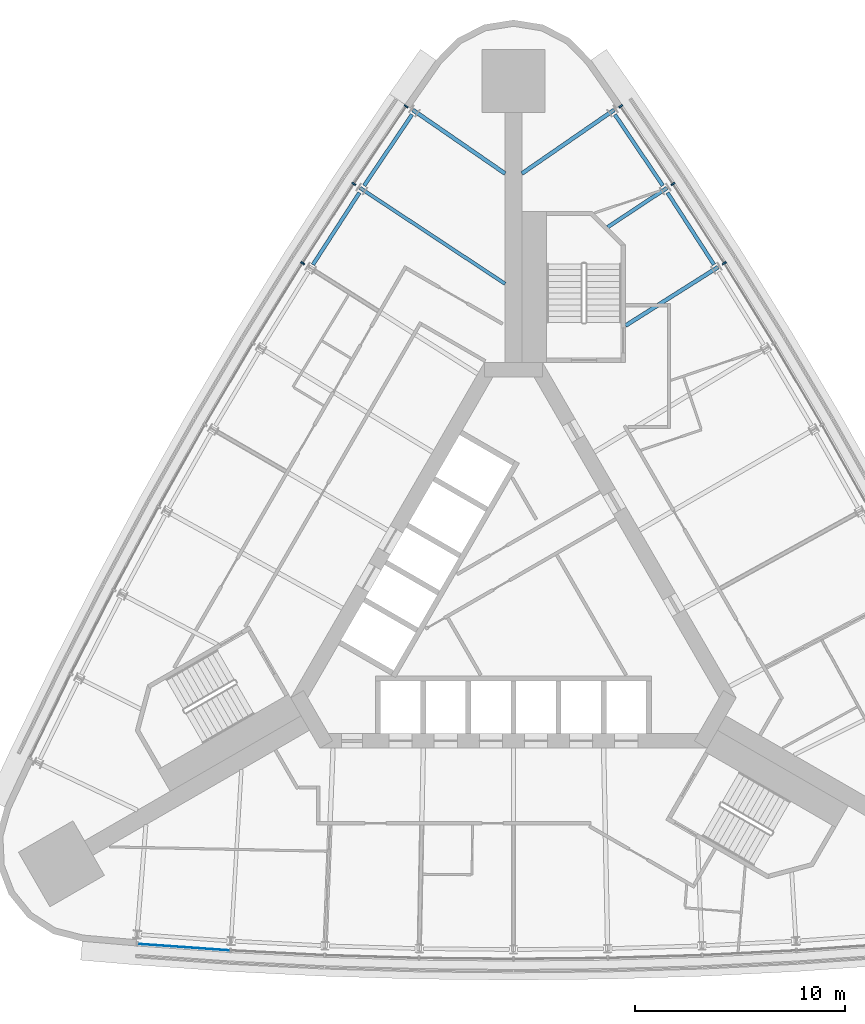
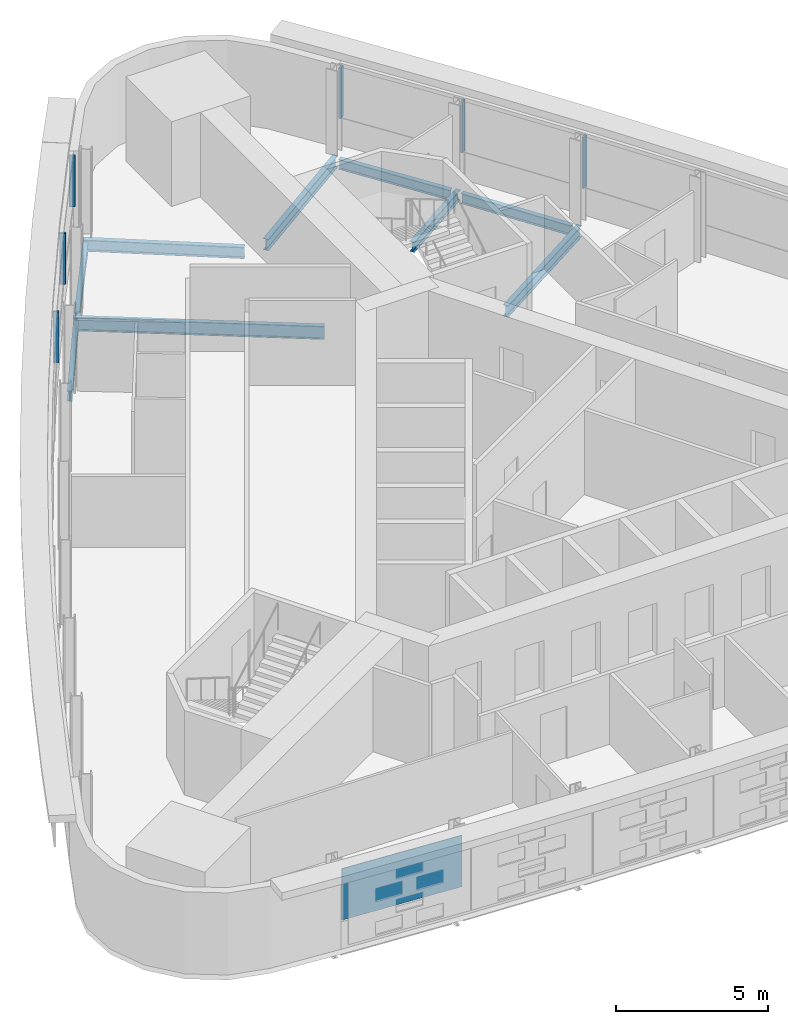
# One storey, part 5 of 11: 9 beams, 6 members, 1 plate, 3 elements without a shape of their own.
"""IFC4 building model written with IfcOpenShell, lengths in metres."""

import ifcopenshell
import ifcopenshell.guid

model = None  # the IFC model being written
_history = None  # IfcOwnerHistory: only IFC2X3 demands one
_inside = {}  # id of a spatial element -> (the spatial element, [elements in it])
_under = {}  # id of a project, library or spatial element -> (it, [spatial elements below it])
_declared = {}  # id of a project -> (the project, [libraries it declares])
_typed = {}  # id of a type object -> (the type object, [elements of that type])
_made_of = {}  # id of a material, layer set ... -> (it, [elements and type objects made of it])


def new_model(schema):
    """Start an empty IFC model of exactly this schema.

    Asked for "IFC4X3", IfcOpenShell would pick the latest addendum, in which some entities
    have other attributes; the version numbers below select the first issue.
    IFC2X3 requires an IfcOwnerHistory on every rooted entity: one is made here for all.
    """
    global model, _history
    if schema == "IFC4X3":
        model = ifcopenshell.file(schema_version=(4, 3, 0, 0))
    else:
        model = ifcopenshell.file(schema=schema)
    _inside.clear()
    _under.clear()
    _declared.clear()
    _typed.clear()
    _made_of.clear()
    _history = None
    if model.schema == "IFC2X3":
        org = make("IfcOrganization", Name="unknown")
        user = make(
            "IfcPersonAndOrganization",
            ThePerson=make("IfcPerson", FamilyName="unknown"),
            TheOrganization=org,
        )
        app = make(
            "IfcApplication",
            ApplicationDeveloper=org,
            Version="unknown",
            ApplicationFullName="unknown",
            ApplicationIdentifier="unknown",
        )
        _history = make(
            "IfcOwnerHistory",
            OwningUser=user,
            OwningApplication=app,
            ChangeAction="ADDED",
            CreationDate=0,
        )
    return model


def make(cls, **values):
    """One entity of the class cls with the attributes given. An attribute that is None is left unset."""
    return model.create_entity(
        cls, **{name: value for name, value in values.items() if value is not None}
    )


def rooted(cls, **values):
    """An entity with a GlobalId (a new one), such as an element, a storey or a relation."""
    return make(cls, GlobalId=ifcopenshell.guid.new(), OwnerHistory=_history, **values)


def si_unit(unit_type, name, prefix=None):
    """IfcSIUnit, for example si_unit("LENGTHUNIT", "METRE", prefix="MILLI")."""
    return make("IfcSIUnit", UnitType=unit_type, Prefix=prefix, Name=name)


def assignment(units):
    """IfcUnitAssignment: the units of a project."""
    return None if units is None else make("IfcUnitAssignment", Units=units)


def point(xyz):
    """IfcCartesianPoint."""
    return None if xyz is None else make("IfcCartesianPoint", Coordinates=xyz)


def direction(xyz):
    """IfcDirection."""
    return None if xyz is None else make("IfcDirection", DirectionRatios=xyz)


def frame(location, z_axis=None, x_axis=None):
    """IfcAxis2Placement3D, a coordinate frame: its origin and axes. An axis left out is left unset."""
    return make(
        "IfcAxis2Placement3D",
        Location=point(location),
        Axis=direction(z_axis),
        RefDirection=direction(x_axis),
    )


def frame_2d(location, x_axis=None):
    """IfcAxis2Placement2D, a coordinate frame in the plane: its origin and x axis."""
    return make(
        "IfcAxis2Placement2D", Location=point(location), RefDirection=direction(x_axis)
    )


def origin():
    """The frame at (0, 0, 0) with its axes left unset."""
    return frame((0.0, 0.0, 0.0))


def origin_2d():
    """The frame at (0, 0) in the plane with its x axis left unset."""
    return frame_2d((0.0, 0.0))


def place(relative_to, where):
    """IfcLocalPlacement: puts the frame where relative to a parent placement (None: the world)."""
    return make(
        "IfcLocalPlacement", PlacementRelTo=relative_to, RelativePlacement=where
    )


def context(
    kind, dimensions, precision=None, world=None, true_north=None, identifier=None
):
    """IfcGeometricRepresentationContext, for example the 3D "Model" context."""
    return make(
        "IfcGeometricRepresentationContext",
        ContextIdentifier=identifier,
        ContextType=kind,
        CoordinateSpaceDimension=dimensions,
        Precision=precision,
        WorldCoordinateSystem=world,
        TrueNorth=true_north,
    )


def subcontext(parent, identifier, kind, view, scale=None):
    """IfcGeometricRepresentationSubContext, for example "Body" below "Model"."""
    return make(
        "IfcGeometricRepresentationSubContext",
        ContextIdentifier=identifier,
        ContextType=kind,
        ParentContext=parent,
        TargetScale=scale,
        TargetView=view,
    )


def project(units=None, contexts=None):
    """IfcProject with its units and contexts."""
    return rooted(
        "IfcProject",
        Name="project",
        RepresentationContexts=contexts,
        UnitsInContext=assignment(units),
    )


def spatial(cls, under=None, at=None, **own):
    """A site, building, storey or space (cls), placed at a placement, below another one or the project."""
    s = rooted(cls, ObjectPlacement=at, **own)
    if under is not None:
        _under.setdefault(under.id(), (under, []))[1].append(s)
    return s


def profile(cls, at=None, kind="AREA", **sizes):
    """A parametric profile (cls). Its sizes go by their IFC names, for example OverallWidth=200.0."""
    return make(cls, ProfileType=kind, Position=at, **sizes)


def rectangle(**sizes):
    """IfcRectangleProfileDef."""
    return profile("IfcRectangleProfileDef", **sizes)


def i_section(**sizes):
    """IfcIShapeProfileDef."""
    return profile("IfcIShapeProfileDef", **sizes)


def extrude(swept, where, along, depth):
    """IfcExtrudedAreaSolid: the profile swept, set in the frame where, extruded along a direction by depth."""
    return make(
        "IfcExtrudedAreaSolid",
        SweptArea=swept,
        Position=where,
        ExtrudedDirection=direction(along),
        Depth=depth,
    )


def shape(context_of_items, identifier, shape_type, items):
    """IfcShapeRepresentation: the items that make up one representation, for example the "Body"."""
    return make(
        "IfcShapeRepresentation",
        ContextOfItems=context_of_items,
        RepresentationIdentifier=identifier,
        RepresentationType=shape_type,
        Items=items,
    )


def material(Name=None, Category=None):
    """IfcMaterial."""
    return make("IfcMaterial", Name=Name, Category=Category)


def layer(
    of_material, thickness, ventilated=None, Name=None, Category=None, Priority=None
):
    """IfcMaterialLayer: one layer of a wall or slab, of a material (None: an air gap)."""
    return make(
        "IfcMaterialLayer",
        Material=of_material,
        LayerThickness=thickness,
        IsVentilated=ventilated,
        Name=Name,
        Category=Category,
        Priority=Priority,
    )


def layer_set(layers, Name=None):
    """IfcMaterialLayerSet."""
    return make("IfcMaterialLayerSet", MaterialLayers=layers, LayerSetName=Name)


def material_profile(
    of_material, cross_section, Name=None, Category=None, Priority=None
):
    """IfcMaterialProfile: a cross section and its material."""
    return make(
        "IfcMaterialProfile",
        Name=Name,
        Material=of_material,
        Profile=cross_section,
        Priority=Priority,
        Category=Category,
    )


def profile_set(profiles, Name=None, composite=None):
    """IfcMaterialProfileSet."""
    return make(
        "IfcMaterialProfileSet",
        Name=Name,
        MaterialProfiles=profiles,
        CompositeProfile=composite,
    )


def made_of(thing, what):
    """Note that an element or type object is made of a material, layer set ...; save() writes the relation."""
    if what is not None:
        _made_of.setdefault(what.id(), (what, []))[1].append(thing)
    return thing


def type_object(cls, material=None, **own):
    """A type object (cls), such as IfcWallType, which elements share."""
    return made_of(rooted(cls, **own), material)


def element(
    cls,
    number,
    at=None,
    inside=None,
    cuts=None,
    type_object=None,
    material=None,
    context=None,
    identifier="Body",
    shape_type=None,
    held_by="IfcProductDefinitionShape",
    body=None,
    shapes=None,
    **own,
):
    """One element of the class cls, such as IfcWall. Its Tag is "e" and its number.

    at: its placement. inside: the storey or other place that contains it. cuts: it is an
    opening in that element (IfcRelVoidsElement). A single representation is given by context,
    identifier, shape_type and body (its items); several are given by shapes. held_by: the class
    of the entity that holds the representations. save() writes the other relations.
    """
    e = rooted(cls, Tag="e%d" % number, ObjectPlacement=at, **own)
    if body is not None:
        shapes = [shape(context, identifier, shape_type, body)]
    if shapes is not None:
        e.Representation = make(held_by, Representations=shapes)
    if inside is not None:
        _inside.setdefault(inside.id(), (inside, []))[1].append(e)
    if cuts is not None:
        rooted(
            "IfcRelVoidsElement", RelatingBuildingElement=cuts, RelatedOpeningElement=e
        )
    if type_object is not None:
        _typed.setdefault(type_object.id(), (type_object, []))[1].append(e)
    return made_of(e, material)


def aggregate(whole, parts):
    """IfcRelAggregates: a whole, such as a stair, and the parts it consists of."""
    return rooted("IfcRelAggregates", RelatingObject=whole, RelatedObjects=parts)


def save(model, path):
    """Write the relations noted so far, then the file.

    IfcRelAggregates (storeys below a building ...), IfcRelContainedInSpatialStructure (elements
    in a storey), IfcRelDefinesByType, IfcRelAssociatesMaterial and IfcRelDeclares: one each for
    every whole, place, type object, material and project.
    """
    for whole, parts in _under.values():
        aggregate(whole, parts)
    for where, things in _inside.values():
        rooted(
            "IfcRelContainedInSpatialStructure",
            RelatedElements=things,
            RelatingStructure=where,
        )
    for kind, things in _typed.values():
        rooted("IfcRelDefinesByType", RelatedObjects=things, RelatingType=kind)
    for what, things in _made_of.values():
        rooted("IfcRelAssociatesMaterial", RelatedObjects=things, RelatingMaterial=what)
    for by, libraries in _declared.values():
        rooted("IfcRelDeclares", RelatingContext=by, RelatedDefinitions=libraries)
    model.write(path)


model = new_model("IFC4")

# Units and contexts
model_context = context("Model", 3, precision=1e-05, world=origin(), true_north=direction((0.0, 1.0)))
body_context = subcontext(model_context, "Body", "Model", "MODEL_VIEW")
ifc_project = project(units=[si_unit("LENGTHUNIT", "METRE"), si_unit("AREAUNIT", "SQUARE_METRE"), si_unit("VOLUMEUNIT", "CUBIC_METRE"), si_unit("PLANEANGLEUNIT", "RADIAN"), si_unit("MASSUNIT", "GRAM", prefix="KILO")], contexts=[model_context])

# Site, building, storey
site_placement = place(None, origin())
site = spatial("IfcSite", under=ifc_project, at=site_placement, CompositionType="ELEMENT")
building_placement = place(site_placement, origin())
building = spatial("IfcBuilding", under=site, at=building_placement, Name="Noor Cloister Tower", CompositionType="ELEMENT")
storey_placement = place(building_placement, frame((0.0, 0.0, 109.5)))
storey = spatial("IfcBuildingStorey", under=building, at=storey_placement, Name="L28", CompositionType="ELEMENT", Elevation=109.5)

# Curtain wall, members
ifc_material_1 = material(Name="Aluminium 6063-T6 anodised", Category="aluminium")
curtain_wall_type = type_object("IfcCurtainWallType", Name="Ribbon curtain wall, lower tower CW1", PredefinedType="NOTDEFINED", material=ifc_material_1)
curtain_wall_1_placement = place(storey_placement, origin())
curtain_wall_1 = element("IfcCurtainWall", 1, at=curtain_wall_1_placement, inside=storey, type_object=curtain_wall_type, Name="CW1 L28 NW run 1", PredefinedType="NOTDEFINED")
ifc_material_2 = material(Name="Aluminium 6063-T6 anodised", Category="aluminium")
ifc_material_profile_1 = material_profile(ifc_material_2, rectangle(XDim=0.199951171875, YDim=0.080078125, at=origin_2d()), Name="200 x 80 mullion")
ifc_profile_set_1 = profile_set([ifc_material_profile_1], Name="Aluminium 6063-T6 anodised")
member_type = type_object("IfcMemberType", Name="Mullion CW1 80 x 200", PredefinedType="MULLION", material=ifc_profile_set_1)
member_1_placement = place(storey_placement, frame((-5.1103515625, 23.65869140625, 1.10009765625), z_axis=(0.0, 0.0, 1.0), x_axis=(0.828778860089, -0.559576269216, 0.0)))
member_1 = element("IfcMember", 2, at=member_1_placement, type_object=member_type, Name="CW1 mullion 1", PredefinedType="MULLION", context=body_context, shape_type="SweptSolid", body=[
    extrude(rectangle(XDim=0.199951171875, YDim=0.080078125, at=origin_2d()), origin(), (0.0, 0.0, 1.0), 2.0498046875),
])
member_2_placement = place(storey_placement, frame((-7.60546875, 19.963134765625, 1.10009765625), z_axis=(0.0, 0.0, 1.0), x_axis=(0.834354797928, -0.551227785198, 0.0)))
member_2 = element("IfcMember", 3, at=member_2_placement, type_object=member_type, Name="CW1 mullion 2", PredefinedType="MULLION", context=body_context, shape_type="SweptSolid", body=[
    extrude(rectangle(XDim=0.199951171875, YDim=0.080078125, at=origin_2d()), origin(), (0.0, 0.0, 1.0), 2.0498046875),
])
member_3_placement = place(storey_placement, frame((-10.047119140625, 16.185546875, 1.10009765625), z_axis=(0.0, 0.0, 1.0), x_axis=(0.845253840567, -0.53436499231, 0.0)))
member_3 = element("IfcMember", 4, at=member_3_placement, type_object=member_type, Name="CW1 mullion 3", PredefinedType="MULLION", context=body_context, shape_type="SweptSolid", body=[
    extrude(rectangle(XDim=0.199951171875, YDim=0.080078125, at=origin_2d()), origin(), (0.0, 0.0, 1.0), 2.0498046875),
])
aggregate(curtain_wall_1, [member_1, member_2, member_3])

curtain_wall_2_placement = place(storey_placement, origin())
curtain_wall_2 = element("IfcCurtainWall", 5, at=curtain_wall_2_placement, inside=storey, type_object=curtain_wall_type, Name="CW1 L28 NE run 3", PredefinedType="NOTDEFINED")
member_4_placement = place(storey_placement, frame((10.047119140625, 16.185546875, 1.10009765625), z_axis=(0.0, 0.0, 1.0), x_axis=(-0.845253840567, -0.53436499231, 0.0)))
member_4 = element("IfcMember", 6, at=member_4_placement, type_object=member_type, Name="CW1 mullion 7", PredefinedType="MULLION", context=body_context, shape_type="SweptSolid", body=[
    extrude(rectangle(XDim=0.199951171875, YDim=0.080078125, at=origin_2d()), origin(), (0.0, 0.0, 1.0), 2.0498046875),
])
member_5_placement = place(storey_placement, frame((7.60546875, 19.963134765625, 1.10009765625), z_axis=(0.0, 0.0, 1.0), x_axis=(-0.834354797928, -0.551227785198, 0.0)))
member_5 = element("IfcMember", 7, at=member_5_placement, type_object=member_type, Name="CW1 mullion 8", PredefinedType="MULLION", context=body_context, shape_type="SweptSolid", body=[
    extrude(rectangle(XDim=0.199951171875, YDim=0.080078125, at=origin_2d()), origin(), (0.0, 0.0, 1.0), 2.0498046875),
])
member_6_placement = place(storey_placement, frame((5.1103515625, 23.65869140625, 1.10009765625), z_axis=(0.0, 0.0, 1.0), x_axis=(-0.828778860089, -0.559576269216, 0.0)))
member_6 = element("IfcMember", 8, at=member_6_placement, type_object=member_type, Name="CW1 mullion 9", PredefinedType="MULLION", context=body_context, shape_type="SweptSolid", body=[
    extrude(rectangle(XDim=0.199951171875, YDim=0.080078125, at=origin_2d()), origin(), (0.0, 0.0, 1.0), 2.0498046875),
])
aggregate(curtain_wall_2, [member_4, member_5, member_6])

# Beams
ifc_material_3 = material(Name="Steel ASTM A992 Gr 50", Category="steel")
ifc_material_profile_2 = material_profile(ifc_material_3, i_section(OverallWidth=0.177978515625, OverallDepth=0.406005859375, WebThickness=0.0078125, FlangeThickness=0.0126953125, FilletRadius=0.01025390625, at=origin_2d()), Name="W410x60")
ifc_profile_set_2 = profile_set([ifc_material_profile_2], Name="Steel ASTM A992 Gr 50")
beam_type_1 = type_object("IfcBeamType", Name="Radial beam W410x60", PredefinedType="BEAM", material=ifc_profile_set_2)
beam_1_placement = place(storey_placement, frame((7.31396484375, 19.7705078125, -0.403076171875), z_axis=(-0.834372028008, -0.55120170435, 0.0), x_axis=(0.55120170435, -0.834372028008, 0.0)))
element("IfcBeam", 9, at=beam_1_placement, inside=storey, type_object=beam_type_1, Name="Radial beam NE 08 L28", PredefinedType="BEAM", context=body_context, shape_type="SweptSolid", body=[
    extrude(i_section(OverallWidth=0.177978515625, OverallDepth=0.406005859375, WebThickness=0.0078125, FlangeThickness=0.0126953125, FilletRadius=0.01025390625, at=origin_2d()), origin(), (0.0, 0.0, 1.0), 3.38671875),
])
ifc_material_4 = material(Name="Steel ASTM A992 Gr 50", Category="steel")
ifc_material_profile_3 = material_profile(ifc_material_4, i_section(OverallWidth=0.19091796875, OverallDepth=0.45703125, WebThickness=0.009033203125, FlangeThickness=0.014404296875, FilletRadius=0.01025390625, at=origin_2d()), Name="W460x74")
ifc_profile_set_3 = profile_set([ifc_material_profile_3], Name="Steel ASTM A992 Gr 50")
beam_type_2 = type_object("IfcBeamType", Name="Radial beam W460x74", PredefinedType="BEAM", material=ifc_profile_set_3)
beam_2_placement = place(storey_placement, frame((-4.801025390625, 23.492431640625, -0.428466796875), z_axis=(0.823136247007, -0.567843921217, 0.0), x_axis=(0.567843921217, 0.823136247007, 0.0)))
element("IfcBeam", 10, at=beam_2_placement, inside=storey, type_object=beam_type_2, Name="Radial beam NW 01 L28", PredefinedType="BEAM", context=body_context, shape_type="SweptSolid", body=[
    extrude(i_section(OverallWidth=0.19091796875, OverallDepth=0.45703125, WebThickness=0.009033203125, FlangeThickness=0.014404296875, FilletRadius=0.01025390625, at=origin_2d()), origin(), (0.0, 0.0, 1.0), 5.3466796875),
])
beam_3_placement = place(storey_placement, frame((9.751708984375, 15.998779296875, -0.428466796875), z_axis=(-0.845256745033, -0.534360398024, 0.0), x_axis=(0.534360398024, -0.845256745033, 0.0)))
element("IfcBeam", 11, at=beam_3_placement, inside=storey, type_object=beam_type_2, Name="Radial beam NE 07 L28", PredefinedType="BEAM", context=body_context, shape_type="SweptSolid", body=[
    extrude(i_section(OverallWidth=0.19091796875, OverallDepth=0.45703125, WebThickness=0.009033203125, FlangeThickness=0.014404296875, FilletRadius=0.01025390625, at=origin_2d()), origin(), (0.0, 0.0, 1.0), 5.224365234375),
])
beam_4_placement = place(storey_placement, frame((4.801025390625, 23.492431640625, -0.428466796875), z_axis=(-0.823136247007, -0.567843921217, 0.0), x_axis=(0.567843921217, -0.823136247007, 0.0)))
element("IfcBeam", 12, at=beam_4_placement, inside=storey, type_object=beam_type_2, Name="Radial beam NE 09 L28", PredefinedType="BEAM", context=body_context, shape_type="SweptSolid", body=[
    extrude(i_section(OverallWidth=0.19091796875, OverallDepth=0.45703125, WebThickness=0.009033203125, FlangeThickness=0.014404296875, FilletRadius=0.01025390625, at=origin_2d()), origin(), (0.0, 0.0, 1.0), 5.3466796875),
])
ifc_material_5 = material(Name="Steel ASTM A992 Gr 50", Category="steel")
ifc_material_profile_4 = material_profile(ifc_material_5, i_section(OverallWidth=0.166015625, OverallDepth=0.528076171875, WebThickness=0.009765625, FlangeThickness=0.013671875, FilletRadius=0.0126953125, at=origin_2d()), Name="W530x74")
ifc_profile_set_4 = profile_set([ifc_material_profile_4], Name="Steel ASTM A992 Gr 50")
beam_type_3 = type_object("IfcBeamType", Name="Radial beam W530x74", PredefinedType="BEAM", material=ifc_profile_set_4)
beam_5_placement = place(storey_placement, frame((-7.31396484375, 19.7705078125, -0.464111328125), z_axis=(0.834354677874, -0.551227966915, 0.0), x_axis=(0.551227966915, 0.834354677874, 0.0)))
element("IfcBeam", 13, at=beam_5_placement, inside=storey, type_object=beam_type_3, Name="Radial beam NW 02 L28", PredefinedType="BEAM", context=body_context, shape_type="SweptSolid", body=[
    extrude(i_section(OverallWidth=0.166015625, OverallDepth=0.528076171875, WebThickness=0.009765625, FlangeThickness=0.013671875, FilletRadius=0.0126953125, at=origin_2d()), origin(), (0.0, 0.0, 1.0), 8.28662109375),
])
ifc_material_6 = material(Name="Steel ASTM A992 Gr 50", Category="steel")
ifc_material_profile_5 = material_profile(ifc_material_6, i_section(OverallWidth=0.177978515625, OverallDepth=0.406005859375, WebThickness=0.0078125, FlangeThickness=0.0126953125, FilletRadius=0.01025390625, at=origin_2d()), Name="W410x60")
ifc_profile_set_5 = profile_set([ifc_material_profile_5], Name="Steel ASTM A992 Gr 50")
beam_type_4 = type_object("IfcBeamType", Name="Spandrel beam W410x60", PredefinedType="SPANDREL", material=ifc_profile_set_5)
for number, where, z_axis, x_axis, name in (
    (14, (-4.83056640625, 23.269287109375, -0.403076171875), (-0.559555937796, -0.828792587127, 0.0), (0.828792587127, -0.559555937796, 0.0), "Spandrel beam NW 01 L28"),
    (15, (-7.3388671875, 19.546630859375, -0.403076171875), (-0.542832704681, -0.839840850833, 0.0), (0.839840850833, -0.542832704681, 0.0), "Spandrel beam NW 02 L28"),
    (16, (9.557861328125, 16.113525390625, -0.403076171875), (-0.542832704681, 0.839840850833, 0.0), (-0.839840850833, -0.542832704681, 0.0), "Spandrel beam NE 07 L28"),
    (17, (7.117919921875, 19.88134765625, -0.403076171875), (-0.559555937796, 0.828792587127, 0.0), (-0.828792587127, -0.559555937796, 0.0), "Spandrel beam NE 08 L28"),
):
    element("IfcBeam", number, at=place(storey_placement, frame(where, z_axis=z_axis, x_axis=x_axis)), inside=storey, type_object=beam_type_4, Name=name, PredefinedType="SPANDREL", context=body_context, shape_type="SweptSolid", body=[
        extrude(i_section(OverallWidth=0.177978515625, OverallDepth=0.406005859375, WebThickness=0.0078125, FlangeThickness=0.0126953125, FilletRadius=0.01025390625, at=origin_2d()), origin(), (0.0, 0.0, 1.0), 4.087890625),
    ])

# Curtain wall, plate
curtain_wall_3_placement = place(storey_placement, origin())
curtain_wall_3 = element("IfcCurtainWall", 18, at=curtain_wall_3_placement, inside=storey, type_object=curtain_wall_type, Name="CW1 L28 S run 2", PredefinedType="NOTDEFINED")
ifc_material_7 = material(Name="Clear laminated glass 2 x 8 mm", Category="glass")
ifc_layer = layer(ifc_material_7, 0.028076171875)
ifc_layer_set = layer_set([ifc_layer], Name="Glass panel CW1")
plate_type = type_object("IfcPlateType", Name="Glass panel CW1", PredefinedType="CURTAIN_PANEL", material=ifc_layer_set)
plate_placement = place(storey_placement, frame((-15.709716796875, -16.41162109375, 1.08984375), z_axis=(0.0, 0.0, 1.0), x_axis=(0.997531681565, -0.070217834452, 0.0)))
plate = element("IfcPlate", 19, at=plate_placement, type_object=plate_type, Name="CW1 glass panel 1", PredefinedType="CURTAIN_PANEL", context=body_context, shape_type="SweptSolid", body=[
    extrude(rectangle(XDim=4.39892578125, YDim=0.028076171875, at=origin_2d()), origin(), (0.0, 0.0, 1.0), 2.070068359375),
])
aggregate(curtain_wall_3, [plate])

save(model, "model.ifc")
